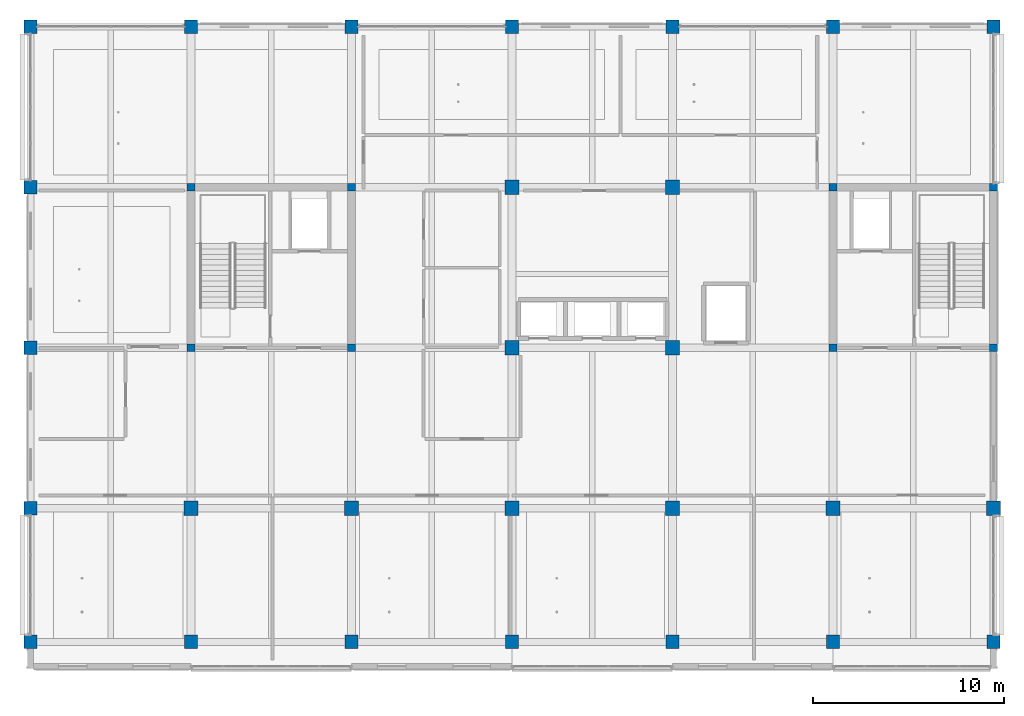
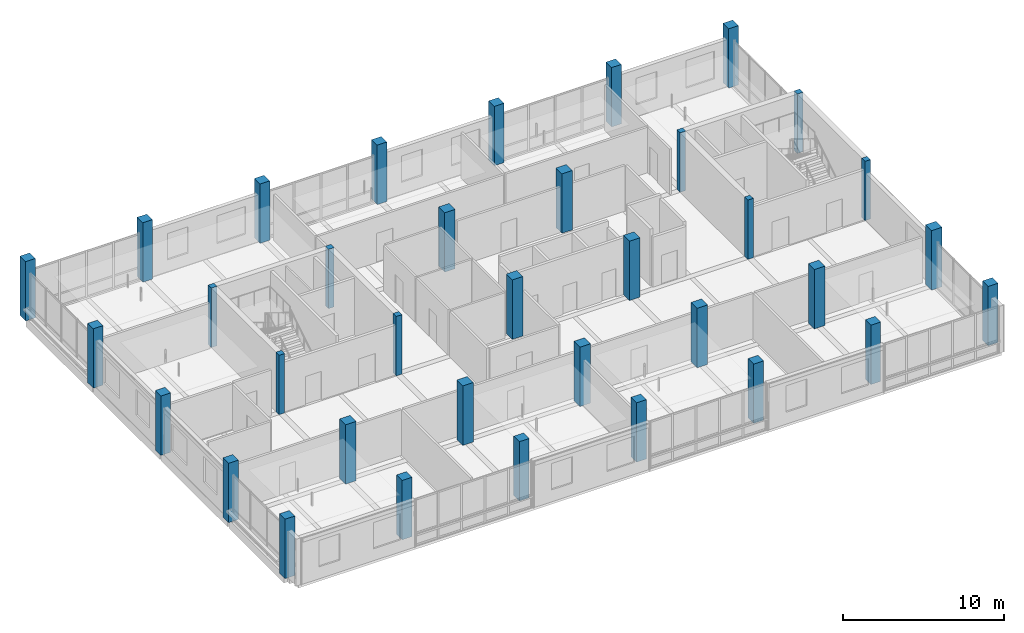
# One storey, part 1 of 32: 35 columns.
"""IFC4 building model written with IfcOpenShell, lengths in metres."""

import ifcopenshell
import ifcopenshell.guid

model = None  # the IFC model being written
_history = None  # IfcOwnerHistory: only IFC2X3 demands one
_inside = {}  # id of a spatial element -> (the spatial element, [elements in it])
_under = {}  # id of a project, library or spatial element -> (it, [spatial elements below it])
_declared = {}  # id of a project -> (the project, [libraries it declares])
_typed = {}  # id of a type object -> (the type object, [elements of that type])
_made_of = {}  # id of a material, layer set ... -> (it, [elements and type objects made of it])


def new_model(schema):
    """Start an empty IFC model of exactly this schema.

    Asked for "IFC4X3", IfcOpenShell would pick the latest addendum, in which some entities
    have other attributes; the version numbers below select the first issue.
    IFC2X3 requires an IfcOwnerHistory on every rooted entity: one is made here for all.
    """
    global model, _history
    if schema == "IFC4X3":
        model = ifcopenshell.file(schema_version=(4, 3, 0, 0))
    else:
        model = ifcopenshell.file(schema=schema)
    _inside.clear()
    _under.clear()
    _declared.clear()
    _typed.clear()
    _made_of.clear()
    _history = None
    if model.schema == "IFC2X3":
        org = make("IfcOrganization", Name="unknown")
        user = make(
            "IfcPersonAndOrganization",
            ThePerson=make("IfcPerson", FamilyName="unknown"),
            TheOrganization=org,
        )
        app = make(
            "IfcApplication",
            ApplicationDeveloper=org,
            Version="unknown",
            ApplicationFullName="unknown",
            ApplicationIdentifier="unknown",
        )
        _history = make(
            "IfcOwnerHistory",
            OwningUser=user,
            OwningApplication=app,
            ChangeAction="ADDED",
            CreationDate=0,
        )
    return model


def make(cls, **values):
    """One entity of the class cls with the attributes given. An attribute that is None is left unset."""
    return model.create_entity(
        cls, **{name: value for name, value in values.items() if value is not None}
    )


def rooted(cls, **values):
    """An entity with a GlobalId (a new one), such as an element, a storey or a relation."""
    return make(cls, GlobalId=ifcopenshell.guid.new(), OwnerHistory=_history, **values)


def si_unit(unit_type, name, prefix=None):
    """IfcSIUnit, for example si_unit("LENGTHUNIT", "METRE", prefix="MILLI")."""
    return make("IfcSIUnit", UnitType=unit_type, Prefix=prefix, Name=name)


def assignment(units):
    """IfcUnitAssignment: the units of a project."""
    return None if units is None else make("IfcUnitAssignment", Units=units)


def point(xyz):
    """IfcCartesianPoint."""
    return None if xyz is None else make("IfcCartesianPoint", Coordinates=xyz)


def direction(xyz):
    """IfcDirection."""
    return None if xyz is None else make("IfcDirection", DirectionRatios=xyz)


def frame(location, z_axis=None, x_axis=None):
    """IfcAxis2Placement3D, a coordinate frame: its origin and axes. An axis left out is left unset."""
    return make(
        "IfcAxis2Placement3D",
        Location=point(location),
        Axis=direction(z_axis),
        RefDirection=direction(x_axis),
    )


def frame_2d(location, x_axis=None):
    """IfcAxis2Placement2D, a coordinate frame in the plane: its origin and x axis."""
    return make(
        "IfcAxis2Placement2D", Location=point(location), RefDirection=direction(x_axis)
    )


def origin():
    """The frame at (0, 0, 0) with its axes left unset."""
    return frame((0.0, 0.0, 0.0))


def origin_2d():
    """The frame at (0, 0) in the plane with its x axis left unset."""
    return frame_2d((0.0, 0.0))


def place(relative_to, where):
    """IfcLocalPlacement: puts the frame where relative to a parent placement (None: the world)."""
    return make(
        "IfcLocalPlacement", PlacementRelTo=relative_to, RelativePlacement=where
    )


def context(
    kind, dimensions, precision=None, world=None, true_north=None, identifier=None
):
    """IfcGeometricRepresentationContext, for example the 3D "Model" context."""
    return make(
        "IfcGeometricRepresentationContext",
        ContextIdentifier=identifier,
        ContextType=kind,
        CoordinateSpaceDimension=dimensions,
        Precision=precision,
        WorldCoordinateSystem=world,
        TrueNorth=true_north,
    )


def subcontext(parent, identifier, kind, view, scale=None):
    """IfcGeometricRepresentationSubContext, for example "Body" below "Model"."""
    return make(
        "IfcGeometricRepresentationSubContext",
        ContextIdentifier=identifier,
        ContextType=kind,
        ParentContext=parent,
        TargetScale=scale,
        TargetView=view,
    )


def project(units=None, contexts=None):
    """IfcProject with its units and contexts."""
    return rooted(
        "IfcProject",
        Name="project",
        RepresentationContexts=contexts,
        UnitsInContext=assignment(units),
    )


def spatial(cls, under=None, at=None, **own):
    """A site, building, storey or space (cls), placed at a placement, below another one or the project."""
    s = rooted(cls, ObjectPlacement=at, **own)
    if under is not None:
        _under.setdefault(under.id(), (under, []))[1].append(s)
    return s


def profile(cls, at=None, kind="AREA", **sizes):
    """A parametric profile (cls). Its sizes go by their IFC names, for example OverallWidth=200.0."""
    return make(cls, ProfileType=kind, Position=at, **sizes)


def rectangle(**sizes):
    """IfcRectangleProfileDef."""
    return profile("IfcRectangleProfileDef", **sizes)


def extrude(swept, where, along, depth):
    """IfcExtrudedAreaSolid: the profile swept, set in the frame where, extruded along a direction by depth."""
    return make(
        "IfcExtrudedAreaSolid",
        SweptArea=swept,
        Position=where,
        ExtrudedDirection=direction(along),
        Depth=depth,
    )


def shape(context_of_items, identifier, shape_type, items):
    """IfcShapeRepresentation: the items that make up one representation, for example the "Body"."""
    return make(
        "IfcShapeRepresentation",
        ContextOfItems=context_of_items,
        RepresentationIdentifier=identifier,
        RepresentationType=shape_type,
        Items=items,
    )


def material(Name=None, Category=None):
    """IfcMaterial."""
    return make("IfcMaterial", Name=Name, Category=Category)


def material_profile(
    of_material, cross_section, Name=None, Category=None, Priority=None
):
    """IfcMaterialProfile: a cross section and its material."""
    return make(
        "IfcMaterialProfile",
        Name=Name,
        Material=of_material,
        Profile=cross_section,
        Priority=Priority,
        Category=Category,
    )


def profile_set(profiles, Name=None, composite=None):
    """IfcMaterialProfileSet."""
    return make(
        "IfcMaterialProfileSet",
        Name=Name,
        MaterialProfiles=profiles,
        CompositeProfile=composite,
    )


def made_of(thing, what):
    """Note that an element or type object is made of a material, layer set ...; save() writes the relation."""
    if what is not None:
        _made_of.setdefault(what.id(), (what, []))[1].append(thing)
    return thing


def type_object(cls, material=None, **own):
    """A type object (cls), such as IfcWallType, which elements share."""
    return made_of(rooted(cls, **own), material)


def element(
    cls,
    number,
    at=None,
    inside=None,
    cuts=None,
    type_object=None,
    material=None,
    context=None,
    identifier="Body",
    shape_type=None,
    held_by="IfcProductDefinitionShape",
    body=None,
    shapes=None,
    **own,
):
    """One element of the class cls, such as IfcWall. Its Tag is "e" and its number.

    at: its placement. inside: the storey or other place that contains it. cuts: it is an
    opening in that element (IfcRelVoidsElement). A single representation is given by context,
    identifier, shape_type and body (its items); several are given by shapes. held_by: the class
    of the entity that holds the representations. save() writes the other relations.
    """
    e = rooted(cls, Tag="e%d" % number, ObjectPlacement=at, **own)
    if body is not None:
        shapes = [shape(context, identifier, shape_type, body)]
    if shapes is not None:
        e.Representation = make(held_by, Representations=shapes)
    if inside is not None:
        _inside.setdefault(inside.id(), (inside, []))[1].append(e)
    if cuts is not None:
        rooted(
            "IfcRelVoidsElement", RelatingBuildingElement=cuts, RelatedOpeningElement=e
        )
    if type_object is not None:
        _typed.setdefault(type_object.id(), (type_object, []))[1].append(e)
    return made_of(e, material)


def aggregate(whole, parts):
    """IfcRelAggregates: a whole, such as a stair, and the parts it consists of."""
    return rooted("IfcRelAggregates", RelatingObject=whole, RelatedObjects=parts)


def save(model, path):
    """Write the relations noted so far, then the file.

    IfcRelAggregates (storeys below a building ...), IfcRelContainedInSpatialStructure (elements
    in a storey), IfcRelDefinesByType, IfcRelAssociatesMaterial and IfcRelDeclares: one each for
    every whole, place, type object, material and project.
    """
    for whole, parts in _under.values():
        aggregate(whole, parts)
    for where, things in _inside.values():
        rooted(
            "IfcRelContainedInSpatialStructure",
            RelatedElements=things,
            RelatingStructure=where,
        )
    for kind, things in _typed.values():
        rooted("IfcRelDefinesByType", RelatedObjects=things, RelatingType=kind)
    for what, things in _made_of.values():
        rooted("IfcRelAssociatesMaterial", RelatedObjects=things, RelatingMaterial=what)
    for by, libraries in _declared.values():
        rooted("IfcRelDeclares", RelatingContext=by, RelatedDefinitions=libraries)
    model.write(path)


model = new_model("IFC4")

# Units and contexts
model_context = context("Model", 3, precision=1e-05, world=origin(), true_north=direction((0.0, 1.0)))
body_context = subcontext(model_context, "Body", "Model", "MODEL_VIEW")
ifc_project = project(units=[si_unit("LENGTHUNIT", "METRE"), si_unit("AREAUNIT", "SQUARE_METRE"), si_unit("VOLUMEUNIT", "CUBIC_METRE"), si_unit("PLANEANGLEUNIT", "RADIAN"), si_unit("MASSUNIT", "GRAM", prefix="KILO")], contexts=[model_context])

# Site, building, storey
site_placement = place(None, origin())
site = spatial("IfcSite", under=ifc_project, at=site_placement, CompositionType="ELEMENT")
building_placement = place(site_placement, origin())
building = spatial("IfcBuilding", under=site, at=building_placement, Name="Telukmera Botanical Conservatory", CompositionType="ELEMENT")
storey_placement = place(building_placement, frame((0.0, 0.0, 42.0)))
storey = spatial("IfcBuildingStorey", under=building, at=storey_placement, Name="L09", CompositionType="ELEMENT", Elevation=42.0)

# Columns
ifc_material_1 = material(Name="Concrete C50/60", Category="concrete")
ifc_material_profile_1 = material_profile(ifc_material_1, rectangle(XDim=0.39990234375, YDim=0.39990234375, at=origin_2d()), Name="RC 400x400")
ifc_profile_set_1 = profile_set([ifc_material_profile_1], Name="Concrete C50/60")
column_type_1 = type_object("IfcColumnType", Name="Col_C14", PredefinedType="COLUMN", material=ifc_profile_set_1)
for number, where, z_axis, x_axis, name in (
    (1, (58.800048828125, 26.0, 0.0), (0.0, 0.0, 1.0), (1.0, 0.0, 0.0), "Column V4-L09 (58.8,26.0)"),
    (2, (58.800048828125, 34.39990234375, 0.0), (0.0, 0.0, 1.0), (1.0, 0.0, 0.0), "Column V4-L09 (58.8,34.4)"),
    (3, (67.199951171875, 26.0, 0.0), (0.0, 0.0, 1.0), (1.0, 0.0, 0.0), "Column V4-L09 (67.2,26.0)"),
    (4, (67.199951171875, 34.39990234375, 0.0), (0.0, 0.0, 1.0), (1.0, 0.0, 0.0), "Column V4-L09 (67.2,34.4)"),
    (5, (92.39990234375, 26.0, 0.0), (0.0, 0.0, 1.0), (1.0, 0.0, 0.0), "Column V4-L09 (92.4,26.0)"),
    (6, (92.39990234375, 34.39990234375, 0.0), (0.0, 0.0, 1.0), (1.0, 0.0, 0.0), "Column V4-L09 (92.4,34.4)"),
    (7, (100.800048828125, 26.0, 0.0), (0.0, 0.0, 1.0), (1.0, 0.0, 0.0), "Column V4-L09 (100.8,26.0)"),
    (8, (100.800048828125, 34.39990234375, 0.0), (0.0, 0.0, 1.0), (1.0, 0.0, 0.0), "Column V4-L09 (100.8,34.4)"),
):
    element("IfcColumn", number, at=place(storey_placement, frame(where, z_axis=z_axis, x_axis=x_axis)), inside=storey, type_object=column_type_1, Name=name, PredefinedType="COLUMN", context=body_context, shape_type="SweptSolid", body=[
        extrude(rectangle(XDim=0.39990234375, YDim=0.39990234375, at=origin_2d()), origin(), (0.0, 0.0, 1.0), 4.5),
    ])
ifc_material_2 = material(Name="Concrete C40/50", Category="concrete")
ifc_material_profile_2 = material_profile(ifc_material_2, rectangle(XDim=0.75, YDim=0.75, at=origin_2d()), Name="RC 750x750")
ifc_profile_set_2 = profile_set([ifc_material_profile_2], Name="Concrete C40/50")
column_type_2 = type_object("IfcColumnType", Name="Col_C8", PredefinedType="COLUMN", material=ifc_profile_set_2)
for number, where, z_axis, x_axis, name in (
    (9, (58.800048828125, 17.60009765625, 0.0), (0.0, 0.0, 1.0), (1.0, 0.0, 0.0), "Column V4-L09 (58.8,17.6)"),
    (10, (67.199951171875, 17.60009765625, 0.0), (0.0, 0.0, 1.0), (1.0, 0.0, 0.0), "Column V4-L09 (67.2,17.6)"),
    (11, (75.60009765625, 17.60009765625, 0.0), (0.0, 0.0, 1.0), (1.0, 0.0, 0.0), "Column V4-L09 (75.6,17.6)"),
    (12, (75.60009765625, 26.0, 0.0), (0.0, 0.0, 1.0), (1.0, 0.0, 0.0), "Column V4-L09 (75.6,26.0)"),
    (13, (75.60009765625, 34.39990234375, 0.0), (0.0, 0.0, 1.0), (1.0, 0.0, 0.0), "Column V4-L09 (75.6,34.4)"),
    (14, (84.0, 17.60009765625, 0.0), (0.0, 0.0, 1.0), (1.0, 0.0, 0.0), "Column V4-L09 (84.0,17.6)"),
    (15, (84.0, 26.0, 0.0), (0.0, 0.0, 1.0), (1.0, 0.0, 0.0), "Column V4-L09 (84.0,26.0)"),
    (16, (84.0, 34.39990234375, 0.0), (0.0, 0.0, 1.0), (1.0, 0.0, 0.0), "Column V4-L09 (84.0,34.4)"),
    (17, (92.39990234375, 17.60009765625, 0.0), (0.0, 0.0, 1.0), (1.0, 0.0, 0.0), "Column V4-L09 (92.4,17.6)"),
    (18, (100.800048828125, 17.60009765625, 0.0), (0.0, 0.0, 1.0), (1.0, 0.0, 0.0), "Column V4-L09 (100.8,17.6)"),
):
    element("IfcColumn", number, at=place(storey_placement, frame(where, z_axis=z_axis, x_axis=x_axis)), inside=storey, type_object=column_type_2, Name=name, PredefinedType="COLUMN", context=body_context, shape_type="SweptSolid", body=[
        extrude(rectangle(XDim=0.75, YDim=0.75, at=origin_2d()), origin(), (0.0, 0.0, 1.0), 4.5),
    ])
ifc_material_profile_3 = material_profile(ifc_material_2, rectangle(XDim=0.699951171875, YDim=0.699951171875, at=origin_2d()), Name="RC 700x700")
ifc_profile_set_3 = profile_set([ifc_material_profile_3], Name="Concrete C40/50")
column_type_3 = type_object("IfcColumnType", Name="Col_C9", PredefinedType="COLUMN", material=ifc_profile_set_3)
for number, where, z_axis, x_axis, name in (
    (19, (50.39990234375, 10.60009765625, 0.0), (0.0, 0.0, 1.0), (1.0, 0.0, 0.0), "Column V4-L09 (50.4,10.6)"),
    (20, (50.39990234375, 17.60009765625, 0.0), (0.0, 0.0, 1.0), (1.0, 0.0, 0.0), "Column V4-L09 (50.4,17.6)"),
    (21, (50.39990234375, 26.0, 0.0), (0.0, 0.0, 1.0), (1.0, 0.0, 0.0), "Column V4-L09 (50.4,26.0)"),
    (22, (50.39990234375, 34.39990234375, 0.0), (0.0, 0.0, 1.0), (1.0, 0.0, 0.0), "Column V4-L09 (50.4,34.4)"),
    (23, (50.39990234375, 42.800048828125, 0.0), (0.0, 0.0, 1.0), (1.0, 0.0, 0.0), "Column V4-L09 (50.4,42.8)"),
    (24, (58.800048828125, 10.60009765625, 0.0), (0.0, 0.0, 1.0), (1.0, 0.0, 0.0), "Column V4-L09 (58.8,10.6)"),
    (25, (58.800048828125, 42.800048828125, 0.0), (0.0, 0.0, 1.0), (1.0, 0.0, 0.0), "Column V4-L09 (58.8,42.8)"),
    (26, (67.199951171875, 10.60009765625, 0.0), (0.0, 0.0, 1.0), (1.0, 0.0, 0.0), "Column V4-L09 (67.2,10.6)"),
    (27, (67.199951171875, 42.800048828125, 0.0), (0.0, 0.0, 1.0), (1.0, 0.0, 0.0), "Column V4-L09 (67.2,42.8)"),
    (28, (75.60009765625, 10.60009765625, 0.0), (0.0, 0.0, 1.0), (1.0, 0.0, 0.0), "Column V4-L09 (75.6,10.6)"),
    (29, (75.60009765625, 42.800048828125, 0.0), (0.0, 0.0, 1.0), (1.0, 0.0, 0.0), "Column V4-L09 (75.6,42.8)"),
    (30, (84.0, 10.60009765625, 0.0), (0.0, 0.0, 1.0), (1.0, 0.0, 0.0), "Column V4-L09 (84.0,10.6)"),
    (31, (84.0, 42.800048828125, 0.0), (0.0, 0.0, 1.0), (1.0, 0.0, 0.0), "Column V4-L09 (84.0,42.8)"),
    (32, (92.39990234375, 10.60009765625, 0.0), (0.0, 0.0, 1.0), (1.0, 0.0, 0.0), "Column V4-L09 (92.4,10.6)"),
    (33, (92.39990234375, 42.800048828125, 0.0), (0.0, 0.0, 1.0), (1.0, 0.0, 0.0), "Column V4-L09 (92.4,42.8)"),
    (34, (100.800048828125, 10.60009765625, 0.0), (0.0, 0.0, 1.0), (1.0, 0.0, 0.0), "Column V4-L09 (100.8,10.6)"),
    (35, (100.800048828125, 42.800048828125, 0.0), (0.0, 0.0, 1.0), (1.0, 0.0, 0.0), "Column V4-L09 (100.8,42.8)"),
):
    element("IfcColumn", number, at=place(storey_placement, frame(where, z_axis=z_axis, x_axis=x_axis)), inside=storey, type_object=column_type_3, Name=name, PredefinedType="COLUMN", context=body_context, shape_type="SweptSolid", body=[
        extrude(rectangle(XDim=0.699951171875, YDim=0.699951171875, at=origin_2d()), origin(), (0.0, 0.0, 1.0), 4.5),
    ])

save(model, "model.ifc")
